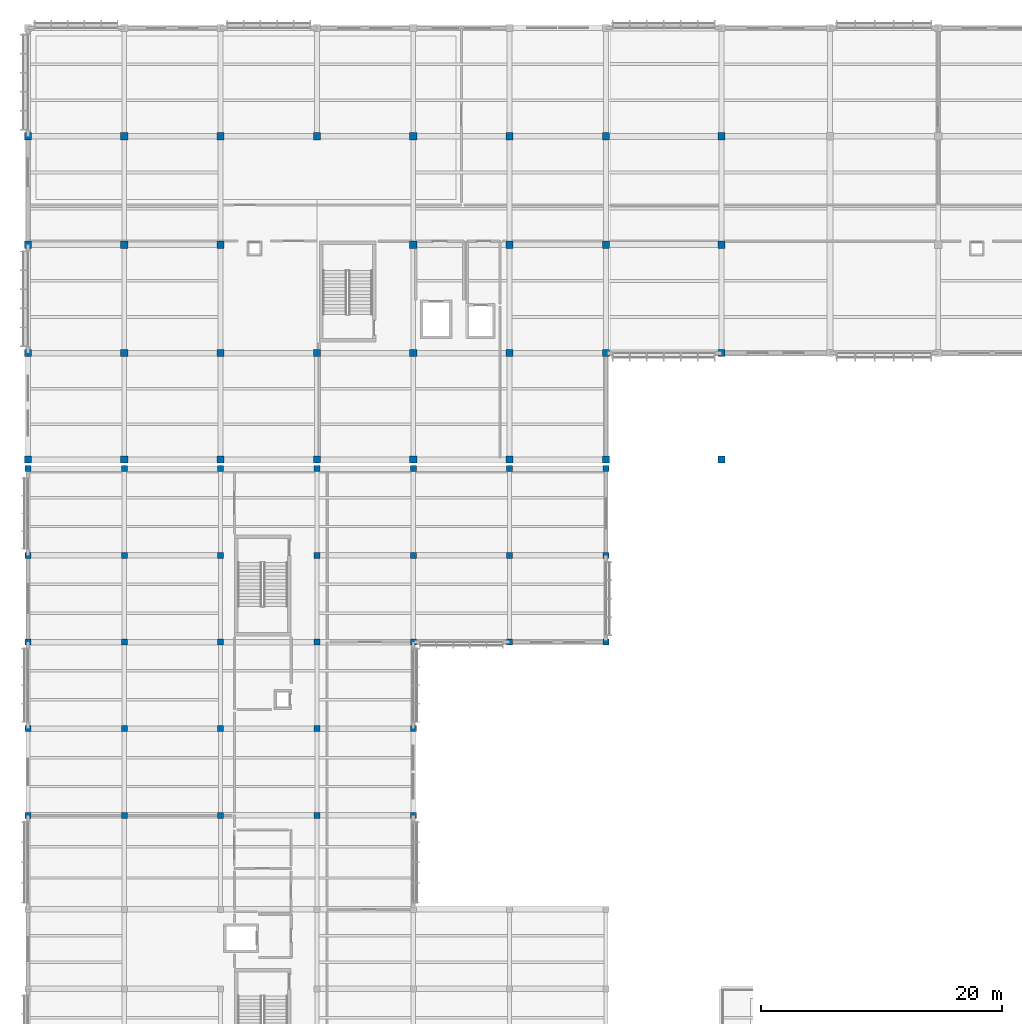
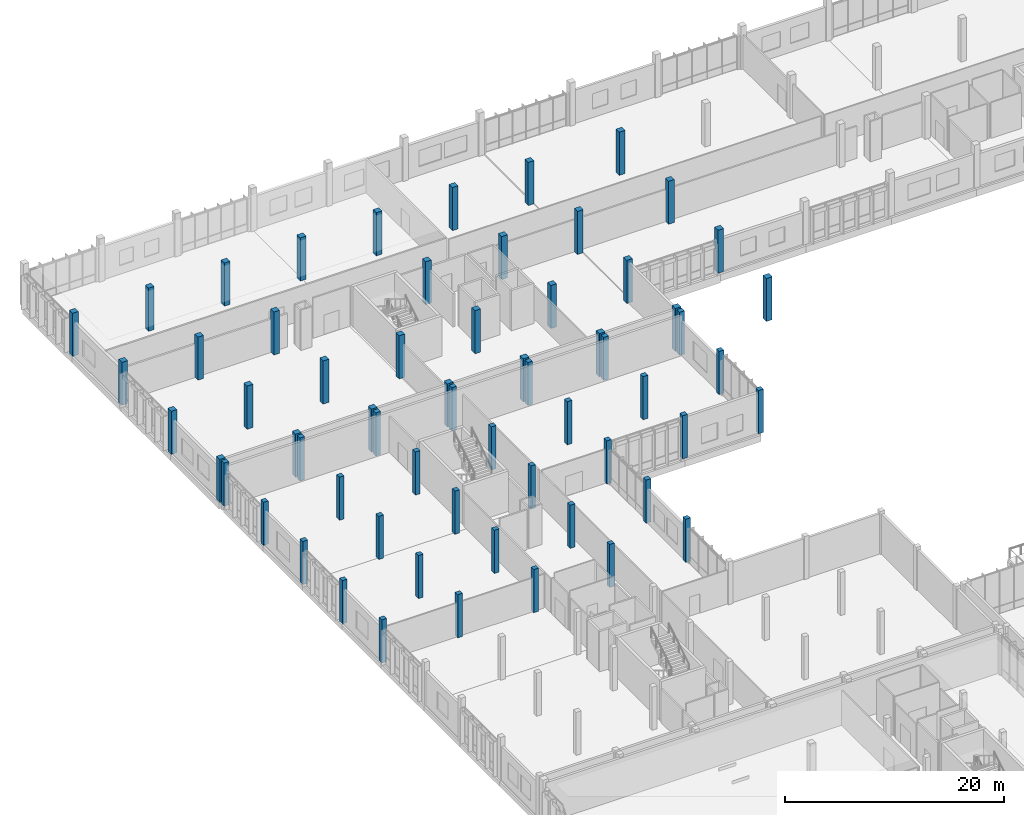
# One storey, part 3 of 177: 62 columns.
"""IFC4 building model written with IfcOpenShell, lengths in metres."""

from ifc_helpers import new_model, si_unit, direction, frame, origin, origin_2d, place, context, subcontext, project, spatial, rectangle, extrude, material, material_profile, profile_set, type_object, element, save


model = new_model("IFC4")

# Units and contexts
model_context = context("Model", 3, precision=1e-05, world=origin(), true_north=direction((0.0, 1.0)))
body_context = subcontext(model_context, "Body", "Model", "MODEL_VIEW")
ifc_project = project(units=[si_unit("LENGTHUNIT", "METRE"), si_unit("AREAUNIT", "SQUARE_METRE"), si_unit("VOLUMEUNIT", "CUBIC_METRE"), si_unit("PLANEANGLEUNIT", "RADIAN"), si_unit("MASSUNIT", "GRAM", prefix="KILO")], contexts=[model_context])

# Site, building, storey
site_placement = place(None, origin())
site = spatial("IfcSite", under=ifc_project, at=site_placement, CompositionType="ELEMENT")
building_placement = place(site_placement, origin())
building = spatial("IfcBuilding", under=site, at=building_placement, Name="Chiffa Square Polytechnic", CompositionType="ELEMENT")
storey_placement = place(building_placement, frame((0.0, 0.0, 4.800048828125)))
storey = spatial("IfcBuildingStorey", under=building, at=storey_placement, Name="L01", CompositionType="ELEMENT", Elevation=4.800048828125)

# Columns
ifc_material_1 = material(Name="Concrete C35/45", Category="concrete")
ifc_material_profile_1 = material_profile(ifc_material_1, rectangle(XDim=0.5, YDim=0.5, at=origin_2d()), Name="RC 500x500")
ifc_profile_set_1 = profile_set([ifc_material_profile_1], Name="Concrete C35/45")
column_type_1 = type_object("IfcColumnType", Name="COL-RC-500", PredefinedType="COLUMN", material=ifc_profile_set_1)
for number, where, z_axis, x_axis, name in (
    (1, (0.0, 65.39990234375, 0.0), (0.0, 0.0, 1.0), (1.0, 0.0, 0.0), "Column C-V6-L01-0000-0654"),
    (2, (0.0, 72.60009765625, 0.0), (0.0, 0.0, 1.0), (1.0, 0.0, 0.0), "Column C-V6-L01-0000-0726"),
    (3, (0.0, 79.800048828125, 0.0), (0.0, 0.0, 1.0), (1.0, 0.0, 0.0), "Column C-V6-L01-0000-0798"),
    (4, (0.0, 87.0, 0.0), (0.0, 0.0, 1.0), (1.0, 0.0, 0.0), "Column C-V6-L01-0000-0870"),
    (5, (0.0, 94.199951171875, 0.0), (0.0, 0.0, 1.0), (1.0, 0.0, 0.0), "Column C-V6-L01-0000-0942"),
    (6, (8.0, 65.39990234375, 0.0), (0.0, 0.0, 1.0), (1.0, 0.0, 0.0), "Column C-V6-L01-0080-0654"),
    (7, (8.0, 72.60009765625, 0.0), (0.0, 0.0, 1.0), (1.0, 0.0, 0.0), "Column C-V6-L01-0080-0726"),
    (8, (8.0, 79.800048828125, 0.0), (0.0, 0.0, 1.0), (1.0, 0.0, 0.0), "Column C-V6-L01-0080-0798"),
    (9, (8.0, 87.0, 0.0), (0.0, 0.0, 1.0), (1.0, 0.0, 0.0), "Column C-V6-L01-0080-0870"),
    (10, (8.0, 94.199951171875, 0.0), (0.0, 0.0, 1.0), (1.0, 0.0, 0.0), "Column C-V6-L01-0080-0942"),
    (11, (16.0, 65.39990234375, 0.0), (0.0, 0.0, 1.0), (1.0, 0.0, 0.0), "Column C-V6-L01-0160-0654"),
    (12, (16.0, 72.60009765625, 0.0), (0.0, 0.0, 1.0), (1.0, 0.0, 0.0), "Column C-V6-L01-0160-0726"),
    (13, (16.0, 79.800048828125, 0.0), (0.0, 0.0, 1.0), (1.0, 0.0, 0.0), "Column C-V6-L01-0160-0798"),
    (14, (16.0, 87.0, 0.0), (0.0, 0.0, 1.0), (1.0, 0.0, 0.0), "Column C-V6-L01-0160-0870"),
    (15, (16.0, 94.199951171875, 0.0), (0.0, 0.0, 1.0), (1.0, 0.0, 0.0), "Column C-V6-L01-0160-0942"),
    (16, (24.0, 65.39990234375, 0.0), (0.0, 0.0, 1.0), (1.0, 0.0, 0.0), "Column C-V6-L01-0240-0654"),
    (17, (24.0, 72.60009765625, 0.0), (0.0, 0.0, 1.0), (1.0, 0.0, 0.0), "Column C-V6-L01-0240-0726"),
    (18, (24.0, 79.800048828125, 0.0), (0.0, 0.0, 1.0), (1.0, 0.0, 0.0), "Column C-V6-L01-0240-0798"),
    (19, (24.0, 87.0, 0.0), (0.0, 0.0, 1.0), (1.0, 0.0, 0.0), "Column C-V6-L01-0240-0870"),
    (20, (24.0, 94.199951171875, 0.0), (0.0, 0.0, 1.0), (1.0, 0.0, 0.0), "Column C-V6-L01-0240-0942"),
    (21, (32.0, 65.39990234375, 0.0), (0.0, 0.0, 1.0), (1.0, 0.0, 0.0), "Column C-V6-L01-0320-0654"),
    (22, (32.0, 72.60009765625, 0.0), (0.0, 0.0, 1.0), (1.0, 0.0, 0.0), "Column C-V6-L01-0320-0726"),
    (23, (32.0, 79.800048828125, 0.0), (0.0, 0.0, 1.0), (1.0, 0.0, 0.0), "Column C-V6-L01-0320-0798"),
    (24, (32.0, 87.0, 0.0), (0.0, 0.0, 1.0), (1.0, 0.0, 0.0), "Column C-V6-L01-0320-0870"),
    (25, (32.0, 94.199951171875, 0.0), (0.0, 0.0, 1.0), (1.0, 0.0, 0.0), "Column C-V6-L01-0320-0942"),
    (26, (40.0, 79.800048828125, 0.0), (0.0, 0.0, 1.0), (1.0, 0.0, 0.0), "Column C-V6-L01-0400-0798"),
    (27, (40.0, 87.0, 0.0), (0.0, 0.0, 1.0), (1.0, 0.0, 0.0), "Column C-V6-L01-0400-0870"),
    (28, (40.0, 94.199951171875, 0.0), (0.0, 0.0, 1.0), (1.0, 0.0, 0.0), "Column C-V6-L01-0400-0942"),
    (29, (48.0, 79.800048828125, 0.0), (0.0, 0.0, 1.0), (1.0, 0.0, 0.0), "Column C-V6-L01-0480-0798"),
    (30, (48.0, 87.0, 0.0), (0.0, 0.0, 1.0), (1.0, 0.0, 0.0), "Column C-V6-L01-0480-0870"),
    (31, (48.0, 94.199951171875, 0.0), (0.0, 0.0, 1.0), (1.0, 0.0, 0.0), "Column C-V6-L01-0480-0942"),
):
    element("IfcColumn", number, at=place(storey_placement, frame(where, z_axis=z_axis, x_axis=x_axis)), inside=storey, type_object=column_type_1, Name=name, PredefinedType="COLUMN", context=body_context, shape_type="SweptSolid", body=[
        extrude(rectangle(XDim=0.5, YDim=0.5, at=origin_2d()), origin(), (0.0, 0.0, 1.0), 4.800048828125),
    ])
ifc_material_2 = material(Name="Concrete C40/50", Category="concrete")
ifc_material_profile_2 = material_profile(ifc_material_2, rectangle(XDim=0.60009765625, YDim=0.60009765625, at=origin_2d()), Name="RC 600x600")
ifc_profile_set_2 = profile_set([ifc_material_profile_2], Name="Concrete C40/50")
column_type_2 = type_object("IfcColumnType", Name="COL-RC-600", PredefinedType="COLUMN", material=ifc_profile_set_2)
for number, where, z_axis, x_axis, name in (
    (32, (0.0, 94.949951171875, 0.0), (0.0, 0.0, 1.0), (1.0, 0.0, 0.0), "Column C-V5-L01-0000-0950"),
    (33, (0.0, 103.800048828125, 0.0), (0.0, 0.0, 1.0), (1.0, 0.0, 0.0), "Column C-V5-L01-0000-1038"),
    (34, (0.0, 112.800048828125, 0.0), (0.0, 0.0, 1.0), (1.0, 0.0, 0.0), "Column C-V5-L01-0000-1128"),
    (35, (0.0, 121.800048828125, 0.0), (0.0, 0.0, 1.0), (1.0, 0.0, 0.0), "Column C-V5-L01-0000-1218"),
    (36, (8.0, 94.949951171875, 0.0), (0.0, 0.0, 1.0), (1.0, 0.0, 0.0), "Column C-V5-L01-0080-0950"),
    (37, (8.0, 103.800048828125, 0.0), (0.0, 0.0, 1.0), (1.0, 0.0, 0.0), "Column C-V5-L01-0080-1038"),
    (38, (8.0, 112.800048828125, 0.0), (0.0, 0.0, 1.0), (1.0, 0.0, 0.0), "Column C-V5-L01-0080-1128"),
    (39, (8.0, 121.800048828125, 0.0), (0.0, 0.0, 1.0), (1.0, 0.0, 0.0), "Column C-V5-L01-0080-1218"),
    (40, (16.0, 94.949951171875, 0.0), (0.0, 0.0, 1.0), (1.0, 0.0, 0.0), "Column C-V5-L01-0160-0950"),
    (41, (16.0, 103.800048828125, 0.0), (0.0, 0.0, 1.0), (1.0, 0.0, 0.0), "Column C-V5-L01-0160-1038"),
    (42, (16.0, 112.800048828125, 0.0), (0.0, 0.0, 1.0), (1.0, 0.0, 0.0), "Column C-V5-L01-0160-1128"),
    (43, (16.0, 121.800048828125, 0.0), (0.0, 0.0, 1.0), (1.0, 0.0, 0.0), "Column C-V5-L01-0160-1218"),
    (44, (24.0, 94.949951171875, 0.0), (0.0, 0.0, 1.0), (1.0, 0.0, 0.0), "Column C-V5-L01-0240-0950"),
    (45, (24.0, 103.800048828125, 0.0), (0.0, 0.0, 1.0), (1.0, 0.0, 0.0), "Column C-V5-L01-0240-1038"),
    (46, (24.0, 121.800048828125, 0.0), (0.0, 0.0, 1.0), (1.0, 0.0, 0.0), "Column C-V5-L01-0240-1218"),
    (47, (32.0, 94.949951171875, 0.0), (0.0, 0.0, 1.0), (1.0, 0.0, 0.0), "Column C-V5-L01-0320-0950"),
    (48, (32.0, 103.800048828125, 0.0), (0.0, 0.0, 1.0), (1.0, 0.0, 0.0), "Column C-V5-L01-0320-1038"),
    (49, (32.0, 112.800048828125, 0.0), (0.0, 0.0, 1.0), (1.0, 0.0, 0.0), "Column C-V5-L01-0320-1128"),
    (50, (32.0, 121.800048828125, 0.0), (0.0, 0.0, 1.0), (1.0, 0.0, 0.0), "Column C-V5-L01-0320-1218"),
    (51, (40.0, 94.949951171875, 0.0), (0.0, 0.0, 1.0), (1.0, 0.0, 0.0), "Column C-V5-L01-0400-0950"),
    (52, (40.0, 103.800048828125, 0.0), (0.0, 0.0, 1.0), (1.0, 0.0, 0.0), "Column C-V5-L01-0400-1038"),
    (53, (40.0, 112.800048828125, 0.0), (0.0, 0.0, 1.0), (1.0, 0.0, 0.0), "Column C-V5-L01-0400-1128"),
    (54, (40.0, 121.800048828125, 0.0), (0.0, 0.0, 1.0), (1.0, 0.0, 0.0), "Column C-V5-L01-0400-1218"),
    (55, (48.0, 94.949951171875, 0.0), (0.0, 0.0, 1.0), (1.0, 0.0, 0.0), "Column C-V5-L01-0480-0950"),
    (56, (48.0, 103.800048828125, 0.0), (0.0, 0.0, 1.0), (1.0, 0.0, 0.0), "Column C-V5-L01-0480-1038"),
    (57, (48.0, 112.800048828125, 0.0), (0.0, 0.0, 1.0), (1.0, 0.0, 0.0), "Column C-V5-L01-0480-1128"),
    (58, (48.0, 121.800048828125, 0.0), (0.0, 0.0, 1.0), (1.0, 0.0, 0.0), "Column C-V5-L01-0480-1218"),
    (59, (57.60009765625, 94.949951171875, 0.0), (0.0, 0.0, 1.0), (1.0, 0.0, 0.0), "Column C-V5-L01-0576-0950"),
    (60, (57.60009765625, 103.800048828125, 0.0), (0.0, 0.0, 1.0), (1.0, 0.0, 0.0), "Column C-V5-L01-0576-1038"),
    (61, (57.60009765625, 112.800048828125, 0.0), (0.0, 0.0, 1.0), (1.0, 0.0, 0.0), "Column C-V5-L01-0576-1128"),
    (62, (57.60009765625, 121.800048828125, 0.0), (0.0, 0.0, 1.0), (1.0, 0.0, 0.0), "Column C-V5-L01-0576-1218"),
):
    element("IfcColumn", number, at=place(storey_placement, frame(where, z_axis=z_axis, x_axis=x_axis)), inside=storey, type_object=column_type_2, Name=name, PredefinedType="COLUMN", context=body_context, shape_type="SweptSolid", body=[
        extrude(rectangle(XDim=0.60009765625, YDim=0.60009765625, at=origin_2d()), origin(), (0.0, 0.0, 1.0), 4.800048828125),
    ])

save(model, "model.ifc")
